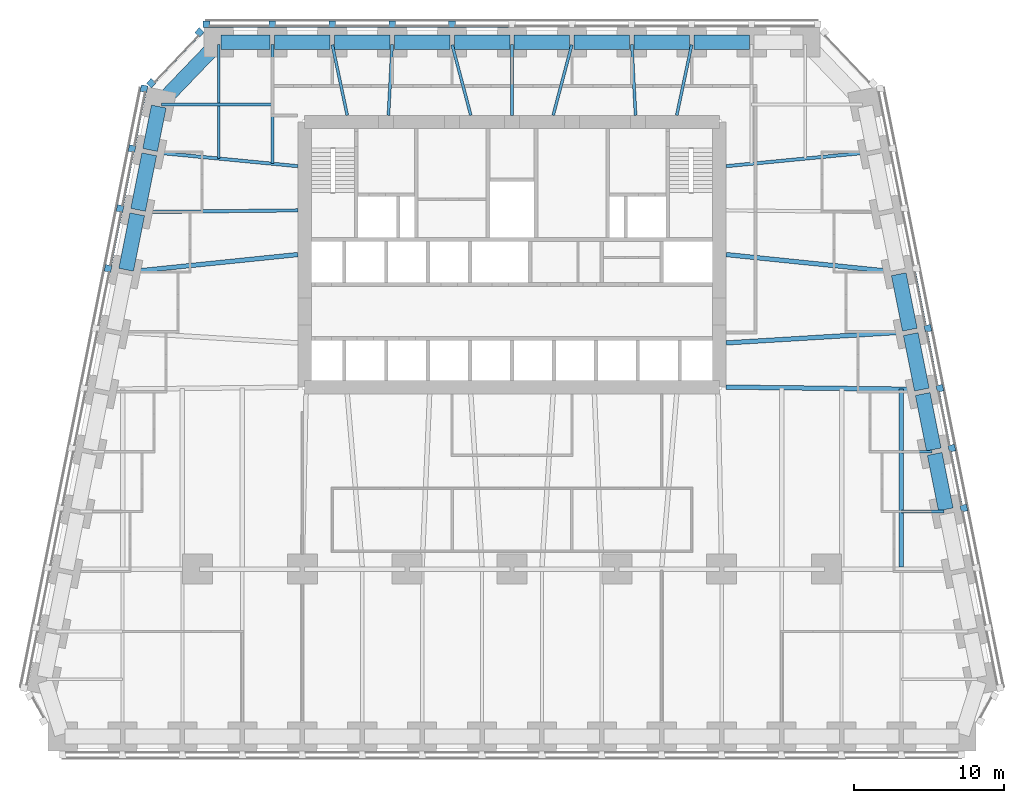
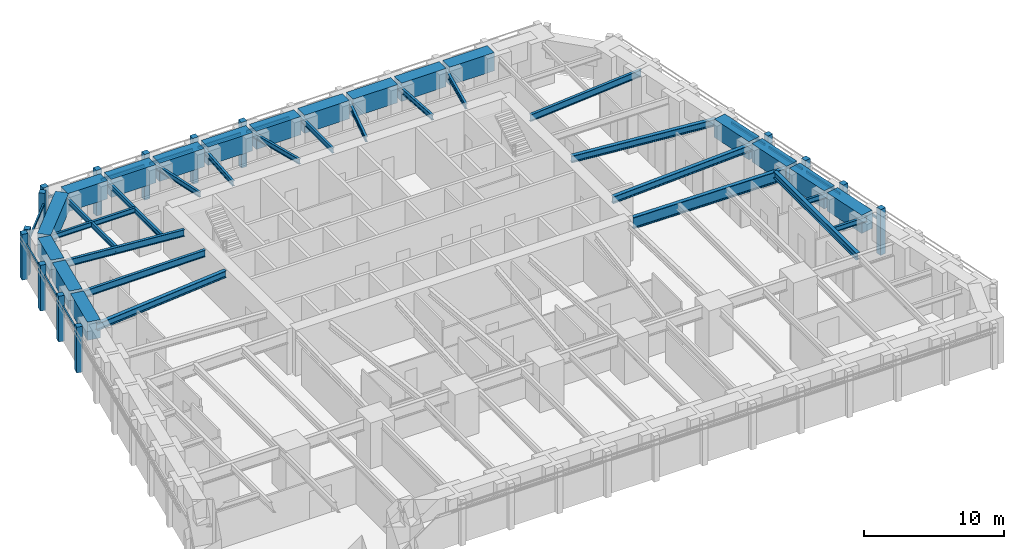
# One storey, part 3 of 10: 37 beams, 28 members, 4 elements without a shape of their own.
"""IFC4 building model written with IfcOpenShell, lengths in metres."""

from ifc_helpers import new_model, si_unit, direction, frame, origin, origin_2d, place, context, subcontext, project, spatial, rectangle, i_section, extrude, material, material_profile, profile_set, type_object, element, aggregate, save


model = new_model("IFC4")

# Units and contexts
model_context = context("Model", 3, precision=1e-05, world=origin(), true_north=direction((0.0, 1.0)))
body_context = subcontext(model_context, "Body", "Model", "MODEL_VIEW")
ifc_project = project(units=[si_unit("LENGTHUNIT", "METRE"), si_unit("AREAUNIT", "SQUARE_METRE"), si_unit("VOLUMEUNIT", "CUBIC_METRE"), si_unit("PLANEANGLEUNIT", "RADIAN"), si_unit("MASSUNIT", "GRAM", prefix="KILO")], contexts=[model_context])

# Site, building, storey
site_placement = place(None, origin())
site = spatial("IfcSite", under=ifc_project, at=site_placement, CompositionType="ELEMENT")
building_placement = place(site_placement, origin())
building = spatial("IfcBuilding", under=site, at=building_placement, Name="Isbrekke Arena Tower", CompositionType="ELEMENT")
storey_placement = place(building_placement, frame((0.0, 0.0, 84.0)))
storey = spatial("IfcBuildingStorey", under=building, at=storey_placement, Name="L18", CompositionType="ELEMENT", Elevation=84.0)

# Beams
ifc_material_1 = material(Name="Steel S355", Category="steel")
ifc_material_profile_1 = material_profile(ifc_material_1, i_section(OverallWidth=0.219970703125, OverallDepth=0.60009765625, WebThickness=0.011962890625, FlangeThickness=0.01904296875, FilletRadius=0.02392578125, at=origin_2d()), Name="IPE 600")
ifc_profile_set_1 = profile_set([ifc_material_profile_1], Name="Steel S355")
beam_type_1 = type_object("IfcBeamType", Name="B1 IPE 600", PredefinedType="BEAM", material=ifc_profile_set_1)
for number, where, z_axis, x_axis, name in (
    (1, (24.030517578125, 21.837158203125, 3.550048828125), (-0.995393091527, -0.095878012805, 0.0), (0.095878012805, -0.995393091527, 0.0), "B1 beam E-E10 L18"),
    (2, (-24.030517578125, 21.837158203125, 3.550048828125), (0.995393091527, -0.095878012805, 0.0), (0.095878012805, 0.995393091527, 0.0), "B1 beam E-W02 L18"),
):
    element("IfcBeam", number, at=place(storey_placement, frame(where, z_axis=z_axis, x_axis=x_axis)), inside=storey, type_object=beam_type_1, Name=name, PredefinedType="BEAM", context=body_context, shape_type="SweptSolid", body=[
        extrude(i_section(OverallWidth=0.219970703125, OverallDepth=0.60009765625, WebThickness=0.011962890625, FlangeThickness=0.01904296875, FilletRadius=0.02392578125, at=origin_2d()), origin(), (0.0, 0.0, 1.0), 9.775390625),
    ])
beam_1_placement = place(storey_placement, frame((-24.83984375, 17.838134765625, 3.550048828125), z_axis=(0.999943729589, 0.010608376645, 0.0), x_axis=(-0.010608376645, 0.999943729589, 0.0)))
element("IfcBeam", 3, at=beam_1_placement, inside=storey, type_object=beam_type_1, Name="B1 beam E-W03 L18", PredefinedType="BEAM", context=body_context, shape_type="SweptSolid", body=[
    extrude(i_section(OverallWidth=0.219970703125, OverallDepth=0.60009765625, WebThickness=0.011962890625, FlangeThickness=0.01904296875, FilletRadius=0.02392578125, at=origin_2d()), origin(), (0.0, 0.0, 1.0), 10.540283203125),
])
ifc_material_2 = material(Name="Steel S355", Category="steel")
ifc_material_profile_2 = material_profile(ifc_material_2, i_section(OverallWidth=0.18994140625, OverallDepth=0.449951171875, WebThickness=0.009521484375, FlangeThickness=0.0146484375, FilletRadius=0.02099609375, at=origin_2d()), Name="IPE 450")
ifc_profile_set_2 = profile_set([ifc_material_profile_2], Name="Steel S355")
beam_type_2 = type_object("IfcBeamType", Name="B2 IPE 450", PredefinedType="BEAM", material=ifc_profile_set_2)
beam_2_placement = place(storey_placement, frame((28.841064453125, -2.161865234375, 3.625), z_axis=(-1.0, 0.0, 0.0), x_axis=(0.0, -1.0, 0.0)))
element("IfcBeam", 4, at=beam_2_placement, inside=storey, type_object=beam_type_2, Name="B2 beam E-E04 L18", PredefinedType="BEAM", context=body_context, shape_type="SweptSolid", body=[
    extrude(i_section(OverallWidth=0.18994140625, OverallDepth=0.449951171875, WebThickness=0.009521484375, FlangeThickness=0.0146484375, FilletRadius=0.02099609375, at=origin_2d()), origin(), (0.0, 0.0, 1.0), 2.841064453125),
])
beam_3_placement = place(storey_placement, frame((28.041015625, 1.838134765625, 3.625), z_axis=(-1.0, 0.0, 0.0), x_axis=(0.0, -1.0, 0.0)))
element("IfcBeam", 5, at=beam_3_placement, inside=storey, type_object=beam_type_2, Name="B2 beam E-E05 L18", PredefinedType="BEAM", context=body_context, shape_type="SweptSolid", body=[
    extrude(i_section(OverallWidth=0.18994140625, OverallDepth=0.449951171875, WebThickness=0.009521484375, FlangeThickness=0.0146484375, FilletRadius=0.02099609375, at=origin_2d()), origin(), (0.0, 0.0, 1.0), 2.041015625),
])
beam_4_placement = place(storey_placement, frame((-23.40283203125, 25.029296875, 3.625), z_axis=(1.0, 0.0, 0.0), x_axis=(0.0, 1.0, 0.0)))
element("IfcBeam", 6, at=beam_4_placement, inside=storey, type_object=beam_type_2, Name="B2 beam E-W01 L18", PredefinedType="BEAM", context=body_context, shape_type="SweptSolid", body=[
    extrude(i_section(OverallWidth=0.18994140625, OverallDepth=0.449951171875, WebThickness=0.009521484375, FlangeThickness=0.0146484375, FilletRadius=0.02099609375, at=origin_2d()), origin(), (0.0, 0.0, 1.0), 7.40283203125),
])
ifc_material_3 = material(Name="Steel S355", Category="steel")
ifc_material_profile_3 = material_profile(ifc_material_3, i_section(OverallWidth=0.18994140625, OverallDepth=0.449951171875, WebThickness=0.009521484375, FlangeThickness=0.0146484375, FilletRadius=0.02099609375, at=origin_2d()), Name="IPE 450")
ifc_profile_set_3 = profile_set([ifc_material_profile_3], Name="Steel S355")
beam_type_3 = type_object("IfcBeamType", Name="B3 IPE 450", PredefinedType="BEAM", material=ifc_profile_set_3)
beam_5_placement = place(storey_placement, frame((-16.0, 29.02490234375, 3.625), z_axis=(0.0, -1.0, 0.0), x_axis=(1.0, 0.0, 0.0)))
element("IfcBeam", 7, at=beam_5_placement, inside=storey, type_object=beam_type_3, Name="B3 beam N-N10 L18", PredefinedType="BEAM", context=body_context, shape_type="SweptSolid", body=[
    extrude(i_section(OverallWidth=0.18994140625, OverallDepth=0.449951171875, WebThickness=0.009521484375, FlangeThickness=0.0146484375, FilletRadius=0.02099609375, at=origin_2d()), origin(), (0.0, 0.0, 1.0), 7.961181640625),
])
beam_6_placement = place(storey_placement, frame((-19.574951171875, 29.02490234375, 3.625), z_axis=(0.0, -1.0, 0.0), x_axis=(1.0, 0.0, 0.0)))
element("IfcBeam", 8, at=beam_6_placement, inside=storey, type_object=beam_type_3, Name="B3 beam N-N11 L18", PredefinedType="BEAM", context=body_context, shape_type="SweptSolid", body=[
    extrude(i_section(OverallWidth=0.18994140625, OverallDepth=0.449951171875, WebThickness=0.009521484375, FlangeThickness=0.0146484375, FilletRadius=0.02099609375, at=origin_2d()), origin(), (0.0, 0.0, 1.0), 7.616943359375),
])
beam_7_placement = place(storey_placement, frame((11.995849609375, 29.005859375, 3.625), z_axis=(-0.207036135686, -0.978333296234, 0.0), x_axis=(0.978333296234, -0.207036135686, 0.0)))
element("IfcBeam", 9, at=beam_7_placement, inside=storey, type_object=beam_type_3, Name="B3 beam N-N03 L18", PredefinedType="BEAM", context=body_context, shape_type="SweptSolid", body=[
    extrude(i_section(OverallWidth=0.18994140625, OverallDepth=0.449951171875, WebThickness=0.009521484375, FlangeThickness=0.0146484375, FilletRadius=0.02099609375, at=origin_2d()), origin(), (0.0, 0.0, 1.0), 4.81005859375),
])
beam_8_placement = place(storey_placement, frame((8.000244140625, 29.02001953125, 3.625), z_axis=(0.05284078094, -0.998602950061, 0.0), x_axis=(0.998602950061, 0.05284078094, 0.0)))
element("IfcBeam", 10, at=beam_8_placement, inside=storey, type_object=beam_type_3, Name="B3 beam N-N04 L18", PredefinedType="BEAM", context=body_context, shape_type="SweptSolid", body=[
    extrude(i_section(OverallWidth=0.18994140625, OverallDepth=0.449951171875, WebThickness=0.009521484375, FlangeThickness=0.0146484375, FilletRadius=0.02099609375, at=origin_2d()), origin(), (0.0, 0.0, 1.0), 4.7265625),
])
beam_9_placement = place(storey_placement, frame((3.993896484375, 29.00146484375, 3.625), z_axis=(-0.255778031922, -0.966735536942, 0.0), x_axis=(0.966735536942, -0.255778031922, 0.0)))
element("IfcBeam", 11, at=beam_9_placement, inside=storey, type_object=beam_type_3, Name="B3 beam N-N05 L18", PredefinedType="BEAM", context=body_context, shape_type="SweptSolid", body=[
    extrude(i_section(OverallWidth=0.18994140625, OverallDepth=0.449951171875, WebThickness=0.009521484375, FlangeThickness=0.0146484375, FilletRadius=0.02099609375, at=origin_2d()), origin(), (0.0, 0.0, 1.0), 4.86328125),
])
beam_10_placement = place(storey_placement, frame((0.0, 29.02490234375, 3.625), z_axis=(0.0, -1.0, 0.0), x_axis=(1.0, 0.0, 0.0)))
element("IfcBeam", 12, at=beam_10_placement, inside=storey, type_object=beam_type_3, Name="B3 beam N-N06 L18", PredefinedType="BEAM", context=body_context, shape_type="SweptSolid", body=[
    extrude(i_section(OverallWidth=0.18994140625, OverallDepth=0.449951171875, WebThickness=0.009521484375, FlangeThickness=0.0146484375, FilletRadius=0.02099609375, at=origin_2d()), origin(), (0.0, 0.0, 1.0), 4.724853515625),
])
beam_11_placement = place(storey_placement, frame((-3.993896484375, 29.00146484375, 3.625), z_axis=(0.255778031922, -0.966735536942, 0.0), x_axis=(0.966735536942, 0.255778031922, 0.0)))
element("IfcBeam", 13, at=beam_11_placement, inside=storey, type_object=beam_type_3, Name="B3 beam N-N07 L18", PredefinedType="BEAM", context=body_context, shape_type="SweptSolid", body=[
    extrude(i_section(OverallWidth=0.18994140625, OverallDepth=0.449951171875, WebThickness=0.009521484375, FlangeThickness=0.0146484375, FilletRadius=0.02099609375, at=origin_2d()), origin(), (0.0, 0.0, 1.0), 4.86328125),
])
beam_12_placement = place(storey_placement, frame((-8.000244140625, 29.02001953125, 3.625), z_axis=(-0.05284078094, -0.998602950061, 0.0), x_axis=(0.998602950061, -0.05284078094, 0.0)))
element("IfcBeam", 14, at=beam_12_placement, inside=storey, type_object=beam_type_3, Name="B3 beam N-N08 L18", PredefinedType="BEAM", context=body_context, shape_type="SweptSolid", body=[
    extrude(i_section(OverallWidth=0.18994140625, OverallDepth=0.449951171875, WebThickness=0.009521484375, FlangeThickness=0.0146484375, FilletRadius=0.02099609375, at=origin_2d()), origin(), (0.0, 0.0, 1.0), 4.7265625),
])
beam_13_placement = place(storey_placement, frame((-11.995849609375, 29.005859375, 3.625), z_axis=(0.207036135686, -0.978333296234, 0.0), x_axis=(0.978333296234, 0.207036135686, 0.0)))
element("IfcBeam", 15, at=beam_13_placement, inside=storey, type_object=beam_type_3, Name="B3 beam N-N09 L18", PredefinedType="BEAM", context=body_context, shape_type="SweptSolid", body=[
    extrude(i_section(OverallWidth=0.18994140625, OverallDepth=0.449951171875, WebThickness=0.009521484375, FlangeThickness=0.0146484375, FilletRadius=0.02099609375, at=origin_2d()), origin(), (0.0, 0.0, 1.0), 4.81005859375),
])
ifc_material_4 = material(Name="Steel S355", Category="steel")
ifc_material_profile_4 = material_profile(ifc_material_4, i_section(OverallWidth=0.300048828125, OverallDepth=0.60009765625, WebThickness=0.015380859375, FlangeThickness=0.030029296875, FilletRadius=0.027099609375, at=origin_2d()), Name="HEB 600")
ifc_profile_set_4 = profile_set([ifc_material_profile_4], Name="Steel S355")
beam_type_4 = type_object("IfcBeamType", Name="B7 HEB 600", PredefinedType="BEAM", material=ifc_profile_set_4)
beam_14_placement = place(storey_placement, frame((26.0, -5.84912109375, 3.550048828125), z_axis=(0.0, 1.0, 0.0), x_axis=(-1.0, 0.0, 0.0)))
element("IfcBeam", 16, at=beam_14_placement, inside=storey, type_object=beam_type_4, Name="B7 beam C-M14 L18", PredefinedType="BEAM", context=body_context, shape_type="SweptSolid", body=[
    extrude(i_section(OverallWidth=0.300048828125, OverallDepth=0.60009765625, WebThickness=0.015380859375, FlangeThickness=0.030029296875, FilletRadius=0.027099609375, at=origin_2d()), origin(), (0.0, 0.0, 1.0), 11.864990234375),
])
beam_15_placement = place(storey_placement, frame((26.431884765625, 9.837646484375, 3.550048828125), z_axis=(-0.998157121592, -0.060682457223, 0.0), x_axis=(0.060682457223, -0.998157121592, 0.0)))
element("IfcBeam", 17, at=beam_15_placement, inside=storey, type_object=beam_type_4, Name="B7 beam E-E07 L18", PredefinedType="BEAM", context=body_context, shape_type="SweptSolid", body=[
    extrude(i_section(OverallWidth=0.300048828125, OverallDepth=0.60009765625, WebThickness=0.015380859375, FlangeThickness=0.030029296875, FilletRadius=0.027099609375, at=origin_2d()), origin(), (0.0, 0.0, 1.0), 12.154296875),
])
for number, where, z_axis, x_axis, name in (
    (18, (25.625732421875, 13.83984375, 3.550048828125), (-0.994794378016, 0.101902627384, 0.0), (-0.101902627384, -0.994794378016, 0.0), "B7 beam E-E08 L18"),
    (19, (-25.625732421875, 13.83984375, 3.550048828125), (0.994794378016, 0.101902627384, 0.0), (-0.101902627384, 0.994794378016, 0.0), "B7 beam E-W04 L18"),
):
    element("IfcBeam", number, at=place(storey_placement, frame(where, z_axis=z_axis, x_axis=x_axis)), inside=storey, type_object=beam_type_4, Name=name, PredefinedType="BEAM", context=body_context, shape_type="SweptSolid", body=[
        extrude(i_section(OverallWidth=0.300048828125, OverallDepth=0.60009765625, WebThickness=0.015380859375, FlangeThickness=0.030029296875, FilletRadius=0.027099609375, at=origin_2d()), origin(), (0.0, 0.0, 1.0), 11.385009765625),
    ])

# Curtain wall, members
ifc_material_5 = material(Name="Glazed aluminium curtain wall", Category="aluminium")
curtain_wall_type = type_object("IfcCurtainWallType", Name="CWL TOWER CURTAIN WALL LOW ZONE", PredefinedType="USERDEFINED", material=ifc_material_5)
curtain_wall_1_placement = place(storey_placement, origin())
curtain_wall_1 = element("IfcCurtainWall", 20, at=curtain_wall_1_placement, inside=storey, type_object=curtain_wall_type, Name="CWL curtain wall L18-E", ObjectType="TOWER CURTAIN WALL LOW ZONE", PredefinedType="USERDEFINED")
ifc_material_6 = material(Name="Aluminium mullion, pale brick slip cladding", Category="masonry")
ifc_material_profile_5 = material_profile(ifc_material_6, rectangle(XDim=0.449951171875, YDim=0.449951171875, at=origin_2d()), Name="PIER 450X450")
ifc_profile_set_5 = profile_set([ifc_material_profile_5], Name="Aluminium mullion, pale brick slip cladding")
member_type_1 = type_object("IfcMemberType", Name="CWL-M PIER MULLION 450 x 450", PredefinedType="MULLION", material=ifc_profile_set_5)
member_1_placement = place(storey_placement, frame((30.167724609375, -1.926513671875, 0.0), z_axis=(0.0, 0.0, 1.0), x_axis=(-0.196116135138, 0.980580675691, 0.0)))
member_1 = element("IfcMember", 21, at=member_1_placement, type_object=member_type_1, Name="CWL-M mullion 4", PredefinedType="MULLION", context=body_context, shape_type="SweptSolid", body=[
    extrude(rectangle(XDim=0.449951171875, YDim=0.449951171875, at=origin_2d()), origin(), (0.0, 0.0, 1.0), 4.0),
])
member_2_placement = place(storey_placement, frame((29.36767578125, 2.073486328125, 0.0), z_axis=(0.0, 0.0, 1.0), x_axis=(-0.196116135138, 0.980580675691, 0.0)))
member_2 = element("IfcMember", 22, at=member_2_placement, type_object=member_type_1, Name="CWL-M mullion 5", PredefinedType="MULLION", context=body_context, shape_type="SweptSolid", body=[
    extrude(rectangle(XDim=0.449951171875, YDim=0.449951171875, at=origin_2d()), origin(), (0.0, 0.0, 1.0), 4.0),
])
member_3_placement = place(storey_placement, frame((28.567626953125, 6.073486328125, 0.0), z_axis=(0.0, 0.0, 1.0), x_axis=(-0.196116135138, 0.980580675691, 0.0)))
member_3 = element("IfcMember", 23, at=member_3_placement, type_object=member_type_1, Name="CWL-M mullion 6", PredefinedType="MULLION", context=body_context, shape_type="SweptSolid", body=[
    extrude(rectangle(XDim=0.449951171875, YDim=0.449951171875, at=origin_2d()), origin(), (0.0, 0.0, 1.0), 4.0),
])
member_4_placement = place(storey_placement, frame((27.767822265625, 10.073486328125, 0.0), z_axis=(0.0, 0.0, 1.0), x_axis=(-0.196116135138, 0.980580675691, 0.0)))
member_4 = element("IfcMember", 24, at=member_4_placement, type_object=member_type_1, Name="CWL-M mullion 7", PredefinedType="MULLION", context=body_context, shape_type="SweptSolid", body=[
    extrude(rectangle(XDim=0.449951171875, YDim=0.449951171875, at=origin_2d()), origin(), (0.0, 0.0, 1.0), 4.0),
])

curtain_wall_2_placement = place(storey_placement, origin())
curtain_wall_2 = element("IfcCurtainWall", 25, at=curtain_wall_2_placement, inside=storey, type_object=curtain_wall_type, Name="CWL curtain wall L18-N", ObjectType="TOWER CURTAIN WALL LOW ZONE", PredefinedType="USERDEFINED")
member_5_placement = place(storey_placement, frame((-4.0, 30.375, 0.0), z_axis=(0.0, 0.0, 1.0), x_axis=(-1.0, 0.0, 0.0)))
member_5 = element("IfcMember", 26, at=member_5_placement, type_object=member_type_1, Name="CWL-M mullion 7", PredefinedType="MULLION", context=body_context, shape_type="SweptSolid", body=[
    extrude(rectangle(XDim=0.449951171875, YDim=0.449951171875, at=origin_2d()), origin(), (0.0, 0.0, 1.0), 4.0),
])
member_6_placement = place(storey_placement, frame((-8.0, 30.375, 0.0), z_axis=(0.0, 0.0, 1.0), x_axis=(-1.0, 0.0, 0.0)))
member_6 = element("IfcMember", 27, at=member_6_placement, type_object=member_type_1, Name="CWL-M mullion 8", PredefinedType="MULLION", context=body_context, shape_type="SweptSolid", body=[
    extrude(rectangle(XDim=0.449951171875, YDim=0.449951171875, at=origin_2d()), origin(), (0.0, 0.0, 1.0), 4.0),
])
member_7_placement = place(storey_placement, frame((-12.0, 30.375, 0.0), z_axis=(0.0, 0.0, 1.0), x_axis=(-1.0, 0.0, 0.0)))
member_7 = element("IfcMember", 28, at=member_7_placement, type_object=member_type_1, Name="CWL-M mullion 9", PredefinedType="MULLION", context=body_context, shape_type="SweptSolid", body=[
    extrude(rectangle(XDim=0.449951171875, YDim=0.449951171875, at=origin_2d()), origin(), (0.0, 0.0, 1.0), 4.0),
])
member_8_placement = place(storey_placement, frame((-16.0, 30.375, 0.0), z_axis=(0.0, 0.0, 1.0), x_axis=(-1.0, 0.0, 0.0)))
member_8 = element("IfcMember", 29, at=member_8_placement, type_object=member_type_1, Name="CWL-M mullion 10", PredefinedType="MULLION", context=body_context, shape_type="SweptSolid", body=[
    extrude(rectangle(XDim=0.449951171875, YDim=0.449951171875, at=origin_2d()), origin(), (0.0, 0.0, 1.0), 4.0),
])
member_9_placement = place(storey_placement, frame((-20.39990234375, 30.375, 0.0), z_axis=(0.0, 0.0, 1.0), x_axis=(-1.0, 0.0, 0.0)))
member_9 = element("IfcMember", 30, at=member_9_placement, type_object=member_type_1, Name="CWL-M mullion 11", PredefinedType="MULLION", context=body_context, shape_type="SweptSolid", body=[
    extrude(rectangle(XDim=0.449951171875, YDim=0.449951171875, at=origin_2d()), origin(), (0.0, 0.0, 1.0), 4.0),
])

curtain_wall_3_placement = place(storey_placement, origin())
curtain_wall_3 = element("IfcCurtainWall", 31, at=curtain_wall_3_placement, inside=storey, type_object=curtain_wall_type, Name="CWL curtain wall L18-NW", ObjectType="TOWER CURTAIN WALL LOW ZONE", PredefinedType="USERDEFINED")
member_10_placement = place(storey_placement, frame((-20.86572265625, 29.83642578125, 0.0), z_axis=(0.0, 0.0, 1.0), x_axis=(-0.68874946192, -0.72499943359, 0.0)))
member_10 = element("IfcMember", 32, at=member_10_placement, type_object=member_type_1, Name="CWL-M mullion 1", PredefinedType="MULLION", context=body_context, shape_type="SweptSolid", body=[
    extrude(rectangle(XDim=0.449951171875, YDim=0.449951171875, at=origin_2d()), origin(), (0.0, 0.0, 1.0), 4.0),
])
member_11_placement = place(storey_placement, frame((-24.087890625, 26.44482421875, 0.0), z_axis=(0.0, 0.0, 1.0), x_axis=(-0.68874946192, -0.72499943359, 0.0)))
member_11 = element("IfcMember", 33, at=member_11_placement, type_object=member_type_1, Name="CWL-M mullion 2", PredefinedType="MULLION", context=body_context, shape_type="SweptSolid", body=[
    extrude(rectangle(XDim=0.449951171875, YDim=0.449951171875, at=origin_2d()), origin(), (0.0, 0.0, 1.0), 4.0),
])

curtain_wall_4_placement = place(storey_placement, origin())
curtain_wall_4 = element("IfcCurtainWall", 34, at=curtain_wall_4_placement, inside=storey, type_object=curtain_wall_type, Name="CWL curtain wall L18-W", ObjectType="TOWER CURTAIN WALL LOW ZONE", PredefinedType="USERDEFINED")
member_12_placement = place(storey_placement, frame((-24.567626953125, 26.073486328125, 0.0), z_axis=(0.0, 0.0, 1.0), x_axis=(-0.196116135138, -0.980580675691, 0.0)))
member_12 = element("IfcMember", 35, at=member_12_placement, type_object=member_type_1, Name="CWL-M mullion 1", PredefinedType="MULLION", context=body_context, shape_type="SweptSolid", body=[
    extrude(rectangle(XDim=0.449951171875, YDim=0.449951171875, at=origin_2d()), origin(), (0.0, 0.0, 1.0), 4.0),
])
member_13_placement = place(storey_placement, frame((-25.36767578125, 22.073486328125, 0.0), z_axis=(0.0, 0.0, 1.0), x_axis=(-0.196116135138, -0.980580675691, 0.0)))
member_13 = element("IfcMember", 36, at=member_13_placement, type_object=member_type_1, Name="CWL-M mullion 2", PredefinedType="MULLION", context=body_context, shape_type="SweptSolid", body=[
    extrude(rectangle(XDim=0.449951171875, YDim=0.449951171875, at=origin_2d()), origin(), (0.0, 0.0, 1.0), 4.0),
])
member_14_placement = place(storey_placement, frame((-26.167724609375, 18.073486328125, 0.0), z_axis=(0.0, 0.0, 1.0), x_axis=(-0.196116135138, -0.980580675691, 0.0)))
member_14 = element("IfcMember", 37, at=member_14_placement, type_object=member_type_1, Name="CWL-M mullion 3", PredefinedType="MULLION", context=body_context, shape_type="SweptSolid", body=[
    extrude(rectangle(XDim=0.449951171875, YDim=0.449951171875, at=origin_2d()), origin(), (0.0, 0.0, 1.0), 4.0),
])
member_15_placement = place(storey_placement, frame((-26.9677734375, 14.073486328125, 0.0), z_axis=(0.0, 0.0, 1.0), x_axis=(-0.196116135138, -0.980580675691, 0.0)))
member_15 = element("IfcMember", 38, at=member_15_placement, type_object=member_type_1, Name="CWL-M mullion 4", PredefinedType="MULLION", context=body_context, shape_type="SweptSolid", body=[
    extrude(rectangle(XDim=0.449951171875, YDim=0.449951171875, at=origin_2d()), origin(), (0.0, 0.0, 1.0), 4.0),
])

# Member
ifc_material_7 = material(Name="Aluminium transom", Category="aluminium")
ifc_material_profile_6 = material_profile(ifc_material_7, rectangle(XDim=0.1201171875, YDim=0.199951171875, at=origin_2d()), Name="TRANSOM 120X200")
ifc_profile_set_6 = profile_set([ifc_material_profile_6], Name="Aluminium transom")
member_type_2 = type_object("IfcMemberType", Name="CWL-T TRANSOM 120 x 200", PredefinedType="USERDEFINED", material=ifc_profile_set_6)
member_16_placement = place(storey_placement, frame((30.0009765625, -1.730224609375, 3.0), z_axis=(-0.196103197847, 0.98058326306, 0.0), x_axis=(-0.98058326306, -0.196103197847, 0.0)))
member_16 = element("IfcMember", 39, at=member_16_placement, type_object=member_type_2, Name="CWL-T transom 4", ObjectType="TRANSOM", PredefinedType="USERDEFINED", context=body_context, shape_type="SweptSolid", body=[
    extrude(rectangle(XDim=0.1201171875, YDim=0.199951171875, at=origin_2d()), origin(), (0.0, 0.0, 1.0), 3.629150390625),
])

member_17_placement = place(storey_placement, frame((29.200927734375, 2.269775390625, 3.0), z_axis=(-0.196103197847, 0.98058326306, 0.0), x_axis=(-0.98058326306, -0.196103197847, 0.0)))
member_17 = element("IfcMember", 40, at=member_17_placement, type_object=member_type_2, Name="CWL-T transom 5", ObjectType="TRANSOM", PredefinedType="USERDEFINED", context=body_context, shape_type="SweptSolid", body=[
    extrude(rectangle(XDim=0.1201171875, YDim=0.199951171875, at=origin_2d()), origin(), (0.0, 0.0, 1.0), 3.629150390625),
])

member_18_placement = place(storey_placement, frame((28.401123046875, 6.269775390625, 3.0), z_axis=(-0.196167883278, 0.980570324643, 0.0), x_axis=(-0.980570324643, -0.196167883278, 0.0)))
member_18 = element("IfcMember", 41, at=member_18_placement, type_object=member_type_2, Name="CWL-T transom 6", ObjectType="TRANSOM", PredefinedType="USERDEFINED", context=body_context, shape_type="SweptSolid", body=[
    extrude(rectangle(XDim=0.1201171875, YDim=0.199951171875, at=origin_2d()), origin(), (0.0, 0.0, 1.0), 3.629150390625),
])

member_19_placement = place(storey_placement, frame((27.60107421875, 10.269775390625, 3.0), z_axis=(-0.196167883278, 0.980570324643, 0.0), x_axis=(-0.980570324643, -0.196167883278, 0.0)))
member_19 = element("IfcMember", 42, at=member_19_placement, type_object=member_type_2, Name="CWL-T transom 7", ObjectType="TRANSOM", PredefinedType="USERDEFINED", context=body_context, shape_type="SweptSolid", body=[
    extrude(rectangle(XDim=0.1201171875, YDim=0.199951171875, at=origin_2d()), origin(), (0.0, 0.0, 1.0), 3.629150390625),
])

aggregate(curtain_wall_1, [member_1, member_2, member_3, member_4, member_16, member_17, member_18, member_19])

member_20_placement = place(storey_placement, frame((-0.22509765625, 30.25, 3.0), z_axis=(-1.0, 0.0, 0.0), x_axis=(0.0, -1.0, 0.0)))
member_20 = element("IfcMember", 43, at=member_20_placement, type_object=member_type_2, Name="CWL-T transom 6", ObjectType="TRANSOM", PredefinedType="USERDEFINED", context=body_context, shape_type="SweptSolid", body=[
    extrude(rectangle(XDim=0.1201171875, YDim=0.199951171875, at=origin_2d()), origin(), (0.0, 0.0, 1.0), 3.5498046875),
])

member_21_placement = place(storey_placement, frame((-4.22509765625, 30.25, 3.0), z_axis=(-1.0, 0.0, 0.0), x_axis=(0.0, -1.0, 0.0)))
member_21 = element("IfcMember", 44, at=member_21_placement, type_object=member_type_2, Name="CWL-T transom 7", ObjectType="TRANSOM", PredefinedType="USERDEFINED", context=body_context, shape_type="SweptSolid", body=[
    extrude(rectangle(XDim=0.1201171875, YDim=0.199951171875, at=origin_2d()), origin(), (0.0, 0.0, 1.0), 3.5498046875),
])

member_22_placement = place(storey_placement, frame((-8.22509765625, 30.25, 3.0), z_axis=(-1.0, 0.0, 0.0), x_axis=(0.0, -1.0, 0.0)))
member_22 = element("IfcMember", 45, at=member_22_placement, type_object=member_type_2, Name="CWL-T transom 8", ObjectType="TRANSOM", PredefinedType="USERDEFINED", context=body_context, shape_type="SweptSolid", body=[
    extrude(rectangle(XDim=0.1201171875, YDim=0.199951171875, at=origin_2d()), origin(), (0.0, 0.0, 1.0), 3.5498046875),
])

member_23_placement = place(storey_placement, frame((-12.22509765625, 30.25, 3.0), z_axis=(-1.0, 0.0, 0.0), x_axis=(0.0, -1.0, 0.0)))
member_23 = element("IfcMember", 46, at=member_23_placement, type_object=member_type_2, Name="CWL-T transom 9", ObjectType="TRANSOM", PredefinedType="USERDEFINED", context=body_context, shape_type="SweptSolid", body=[
    extrude(rectangle(XDim=0.1201171875, YDim=0.199951171875, at=origin_2d()), origin(), (0.0, 0.0, 1.0), 3.5498046875),
])

member_24_placement = place(storey_placement, frame((-16.22509765625, 30.25, 3.0), z_axis=(-1.0, 0.0, 0.0), x_axis=(0.0, -1.0, 0.0)))
member_24 = element("IfcMember", 47, at=member_24_placement, type_object=member_type_2, Name="CWL-T transom 10", ObjectType="TRANSOM", PredefinedType="USERDEFINED", context=body_context, shape_type="SweptSolid", body=[
    extrude(rectangle(XDim=0.1201171875, YDim=0.199951171875, at=origin_2d()), origin(), (0.0, 0.0, 1.0), 3.949951171875),
])

aggregate(curtain_wall_2, [member_5, member_6, member_7, member_8, member_9, member_20, member_21, member_22, member_23, member_24])

member_25_placement = place(storey_placement, frame((-20.93017578125, 29.587158203125, 3.0), z_axis=(-0.6887433918, -0.725005200155, 0.0), x_axis=(0.725005200155, -0.6887433918, 0.0)))
member_25 = element("IfcMember", 48, at=member_25_placement, type_object=member_type_2, Name="CWL-T transom 1", ObjectType="TRANSOM", PredefinedType="USERDEFINED", context=body_context, shape_type="SweptSolid", body=[
    extrude(rectangle(XDim=0.1201171875, YDim=0.199951171875, at=origin_2d()), origin(), (0.0, 0.0, 1.0), 4.22802734375),
])

aggregate(curtain_wall_3, [member_10, member_11, member_25])

member_26_placement = place(storey_placement, frame((-24.4892578125, 25.828369140625, 3.0), z_axis=(-0.196103197847, -0.98058326306, 0.0), x_axis=(0.98058326306, -0.196103197847, 0.0)))
member_26 = element("IfcMember", 49, at=member_26_placement, type_object=member_type_2, Name="CWL-T transom 1", ObjectType="TRANSOM", PredefinedType="USERDEFINED", context=body_context, shape_type="SweptSolid", body=[
    extrude(rectangle(XDim=0.1201171875, YDim=0.199951171875, at=origin_2d()), origin(), (0.0, 0.0, 1.0), 3.629150390625),
])

member_27_placement = place(storey_placement, frame((-25.289306640625, 21.828369140625, 3.0), z_axis=(-0.196103197847, -0.98058326306, 0.0), x_axis=(0.98058326306, -0.196103197847, 0.0)))
member_27 = element("IfcMember", 50, at=member_27_placement, type_object=member_type_2, Name="CWL-T transom 2", ObjectType="TRANSOM", PredefinedType="USERDEFINED", context=body_context, shape_type="SweptSolid", body=[
    extrude(rectangle(XDim=0.1201171875, YDim=0.199951171875, at=origin_2d()), origin(), (0.0, 0.0, 1.0), 3.629150390625),
])

member_28_placement = place(storey_placement, frame((-26.08935546875, 17.828369140625, 3.0), z_axis=(-0.196103197847, -0.98058326306, 0.0), x_axis=(0.98058326306, -0.196103197847, 0.0)))
member_28 = element("IfcMember", 51, at=member_28_placement, type_object=member_type_2, Name="CWL-T transom 3", ObjectType="TRANSOM", PredefinedType="USERDEFINED", context=body_context, shape_type="SweptSolid", body=[
    extrude(rectangle(XDim=0.1201171875, YDim=0.199951171875, at=origin_2d()), origin(), (0.0, 0.0, 1.0), 3.629150390625),
])

aggregate(curtain_wall_4, [member_12, member_13, member_14, member_15, member_26, member_27, member_28])

# Beams
ifc_material_8 = material(Name="Steel S355", Category="steel")
ifc_material_profile_7 = material_profile(ifc_material_8, i_section(OverallWidth=0.302001953125, OverallDepth=1.008056640625, WebThickness=0.02099609375, FlangeThickness=0.0400390625, FilletRadius=0.030029296875, at=origin_2d()), Name="HEM 1000")
ifc_profile_set_7 = profile_set([ifc_material_profile_7], Name="Steel S355")
beam_type_5 = type_object("IfcBeamType", Name="G2 HEM 1000", PredefinedType="BEAM", material=ifc_profile_set_7)
beam_16_placement = place(storey_placement, frame((14.300048828125, 6.14990234375, 3.345947265625), z_axis=(0.999934429634, -0.011451481699, 0.0), x_axis=(0.011451481699, 0.999934429634, 0.0)))
element("IfcBeam", 52, at=beam_16_placement, inside=storey, type_object=beam_type_5, Name="G2 beam G2-E L18", PredefinedType="BEAM", context=body_context, shape_type="SweptSolid", body=[
    extrude(i_section(OverallWidth=0.302001953125, OverallDepth=1.008056640625, WebThickness=0.02099609375, FlangeThickness=0.0400390625, FilletRadius=0.030029296875, at=origin_2d()), origin(), (0.0, 0.0, 1.0), 13.09033203125),
])
ifc_material_9 = material(Name="Concrete B90 (C90/105)", Category="concrete")
ifc_material_profile_8 = material_profile(ifc_material_9, rectangle(XDim=1.0, YDim=1.60009765625, at=origin_2d()), Name="RC 1000x1600")
ifc_profile_set_8 = profile_set([ifc_material_profile_8], Name="Concrete B90 (C90/105)")
beam_type_6 = type_object("IfcBeamType", Name="SB1 RC 1000 x 1600", PredefinedType="SPANDREL", material=ifc_profile_set_8)
for number, where, z_axis, x_axis, name in (
    (53, (28.961669921875, -2.0146484375, 3.199951171875), (-0.196128558387, 0.980578190959, 0.0), (-0.980578190959, -0.196128558387, 0.0), "SB1 spandrel E04-E05 L18"),
    (54, (28.16162109375, 1.9853515625, 3.199951171875), (-0.196128558387, 0.980578190959, 0.0), (-0.980578190959, -0.196128558387, 0.0), "SB1 spandrel E05-E06 L18"),
    (55, (27.361572265625, 5.9853515625, 3.199951171875), (-0.196128558387, 0.980578190959, 0.0), (-0.980578190959, -0.196128558387, 0.0), "SB1 spandrel E06-E07 L18"),
):
    element("IfcBeam", number, at=place(storey_placement, frame(where, z_axis=z_axis, x_axis=x_axis)), inside=storey, type_object=beam_type_6, Name=name, PredefinedType="SPANDREL", context=body_context, shape_type="SweptSolid", body=[
        extrude(rectangle(XDim=1.0, YDim=1.60009765625, at=origin_2d()), origin(), (0.0, 0.0, 1.0), 3.779296875),
    ])
beam_17_placement = place(storey_placement, frame((26.5615234375, 9.9853515625, 3.199951171875), z_axis=(-0.1960664412, 0.980590613169, 0.0), x_axis=(-0.980590613169, -0.1960664412, 0.0)))
element("IfcBeam", 56, at=beam_17_placement, inside=storey, type_object=beam_type_6, Name="SB1 spandrel E07-E08 L18", PredefinedType="SPANDREL", context=body_context, shape_type="SweptSolid", body=[
    extrude(rectangle(XDim=1.0, YDim=1.60009765625, at=origin_2d()), origin(), (0.0, 0.0, 1.0), 3.779052734375),
])
for number, where, z_axis, x_axis, name in (
    (57, (15.85009765625, 29.175048828125, 3.199951171875), (-1.0, 0.0, 0.0), (0.0, -1.0, 0.0), "SB1 spandrel N02-N03 L18"),
    (58, (11.85009765625, 29.175048828125, 3.199951171875), (-1.0, 0.0, 0.0), (0.0, -1.0, 0.0), "SB1 spandrel N03-N04 L18"),
    (59, (7.85009765625, 29.175048828125, 3.199951171875), (-1.0, 0.0, 0.0), (0.0, -1.0, 0.0), "SB1 spandrel N04-N05 L18"),
    (60, (3.85009765625, 29.175048828125, 3.199951171875), (-1.0, 0.0, 0.0), (0.0, -1.0, 0.0), "SB1 spandrel N05-N06 L18"),
    (61, (-0.14990234375, 29.175048828125, 3.199951171875), (-1.0, 0.0, 0.0), (0.0, -1.0, 0.0), "SB1 spandrel N06-N07 L18"),
    (62, (-4.14990234375, 29.175048828125, 3.199951171875), (-1.0, 0.0, 0.0), (0.0, -1.0, 0.0), "SB1 spandrel N07-N08 L18"),
    (63, (-8.14990234375, 29.175048828125, 3.199951171875), (-1.0, 0.0, 0.0), (0.0, -1.0, 0.0), "SB1 spandrel N08-N09 L18"),
    (64, (-12.14990234375, 29.175048828125, 3.199951171875), (-1.0, 0.0, 0.0), (0.0, -1.0, 0.0), "SB1 spandrel N09-N10 L18"),
):
    element("IfcBeam", number, at=place(storey_placement, frame(where, z_axis=z_axis, x_axis=x_axis)), inside=storey, type_object=beam_type_6, Name=name, PredefinedType="SPANDREL", context=body_context, shape_type="SweptSolid", body=[
        extrude(rectangle(XDim=1.0, YDim=1.60009765625, at=origin_2d()), origin(), (0.0, 0.0, 1.0), 3.7001953125),
    ])
beam_18_placement = place(storey_placement, frame((-16.14990234375, 29.175048828125, 3.199951171875), z_axis=(-1.0, 0.0, 0.0), x_axis=(0.0, -1.0, 0.0)))
element("IfcBeam", 65, at=beam_18_placement, inside=storey, type_object=beam_type_6, Name="SB1 spandrel N10-N11 L18", PredefinedType="SPANDREL", context=body_context, shape_type="SweptSolid", body=[
    extrude(rectangle(XDim=1.0, YDim=1.60009765625, at=origin_2d()), origin(), (0.0, 0.0, 1.0), 3.275146484375),
])
beam_19_placement = place(storey_placement, frame((-19.678955078125, 29.066650390625, 3.199951171875), z_axis=(-0.692339547635, -0.721571861134, 0.0), x_axis=(0.721571861134, -0.692339547635, 0.0)))
element("IfcBeam", 66, at=beam_19_placement, inside=storey, type_object=beam_type_6, Name="SB1 spandrel N11-W01 L18", PredefinedType="SPANDREL", context=body_context, shape_type="SweptSolid", body=[
    extrude(rectangle(XDim=1.0, YDim=1.60009765625, at=origin_2d()), origin(), (0.0, 0.0, 1.0), 5.4453125),
])
beam_20_placement = place(storey_placement, frame((-23.582275390625, 24.882080078125, 3.199951171875), z_axis=(-0.196116135138, -0.980580675691, 0.0), x_axis=(0.980580675691, -0.196116135138, 0.0)))
element("IfcBeam", 67, at=beam_20_placement, inside=storey, type_object=beam_type_6, Name="SB1 spandrel W01-W02 L18", PredefinedType="SPANDREL", context=body_context, shape_type="SweptSolid", body=[
    extrude(rectangle(XDim=1.0, YDim=1.60009765625, at=origin_2d()), origin(), (0.0, 0.0, 1.0), 2.9541015625),
])
for number, where, z_axis, x_axis, name in (
    (68, (-24.220458984375, 21.691162109375, 3.199951171875), (-0.196128558387, -0.980578190959, 0.0), (0.980578190959, -0.196128558387, 0.0), "SB1 spandrel W02-W03 L18"),
    (69, (-25.0205078125, 17.691162109375, 3.199951171875), (-0.196128558387, -0.980578190959, 0.0), (0.980578190959, -0.196128558387, 0.0), "SB1 spandrel W03-W04 L18"),
):
    element("IfcBeam", number, at=place(storey_placement, frame(where, z_axis=z_axis, x_axis=x_axis)), inside=storey, type_object=beam_type_6, Name=name, PredefinedType="SPANDREL", context=body_context, shape_type="SweptSolid", body=[
        extrude(rectangle(XDim=1.0, YDim=1.60009765625, at=origin_2d()), origin(), (0.0, 0.0, 1.0), 3.779296875),
    ])

save(model, "model.ifc")
